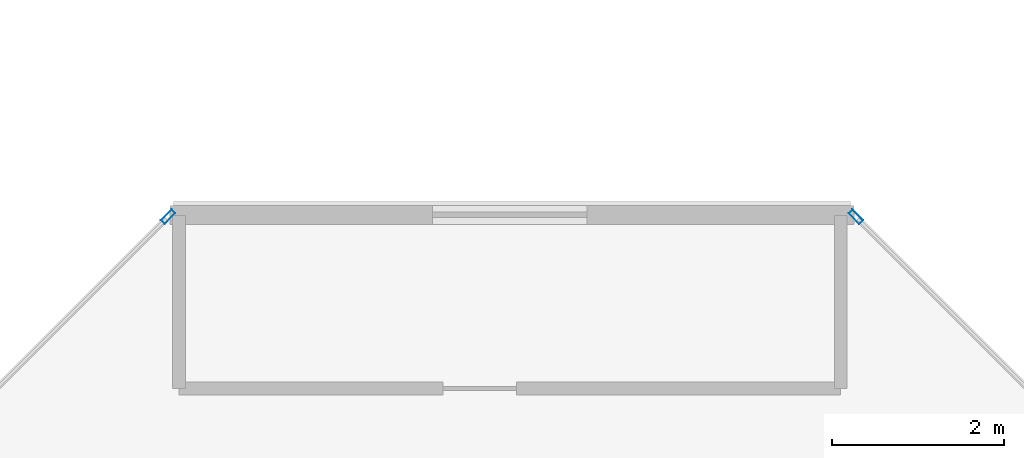
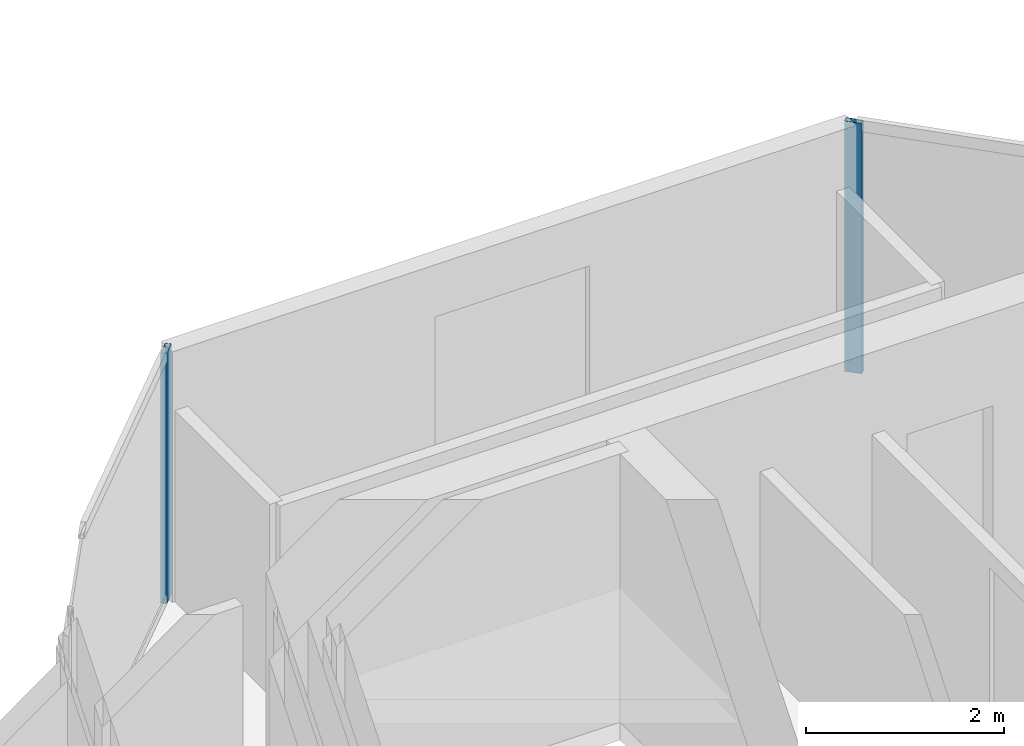
# One storey, part 12 of 29: 2 members, 2 elements without a shape of their own.
"""IFC4 building model written with IfcOpenShell, lengths in metres."""

import ifcopenshell
import ifcopenshell.guid

model = None  # the IFC model being written
_history = None  # IfcOwnerHistory: only IFC2X3 demands one
_inside = {}  # id of a spatial element -> (the spatial element, [elements in it])
_under = {}  # id of a project, library or spatial element -> (it, [spatial elements below it])
_declared = {}  # id of a project -> (the project, [libraries it declares])
_typed = {}  # id of a type object -> (the type object, [elements of that type])
_made_of = {}  # id of a material, layer set ... -> (it, [elements and type objects made of it])


def new_model(schema):
    """Start an empty IFC model of exactly this schema.

    Asked for "IFC4X3", IfcOpenShell would pick the latest addendum, in which some entities
    have other attributes; the version numbers below select the first issue.
    IFC2X3 requires an IfcOwnerHistory on every rooted entity: one is made here for all.
    """
    global model, _history
    if schema == "IFC4X3":
        model = ifcopenshell.file(schema_version=(4, 3, 0, 0))
    else:
        model = ifcopenshell.file(schema=schema)
    _inside.clear()
    _under.clear()
    _declared.clear()
    _typed.clear()
    _made_of.clear()
    _history = None
    if model.schema == "IFC2X3":
        org = make("IfcOrganization", Name="unknown")
        user = make(
            "IfcPersonAndOrganization",
            ThePerson=make("IfcPerson", FamilyName="unknown"),
            TheOrganization=org,
        )
        app = make(
            "IfcApplication",
            ApplicationDeveloper=org,
            Version="unknown",
            ApplicationFullName="unknown",
            ApplicationIdentifier="unknown",
        )
        _history = make(
            "IfcOwnerHistory",
            OwningUser=user,
            OwningApplication=app,
            ChangeAction="ADDED",
            CreationDate=0,
        )
    return model


def make(cls, **values):
    """One entity of the class cls with the attributes given. An attribute that is None is left unset."""
    return model.create_entity(
        cls, **{name: value for name, value in values.items() if value is not None}
    )


def rooted(cls, **values):
    """An entity with a GlobalId (a new one), such as an element, a storey or a relation."""
    return make(cls, GlobalId=ifcopenshell.guid.new(), OwnerHistory=_history, **values)


def si_unit(unit_type, name, prefix=None):
    """IfcSIUnit, for example si_unit("LENGTHUNIT", "METRE", prefix="MILLI")."""
    return make("IfcSIUnit", UnitType=unit_type, Prefix=prefix, Name=name)


def assignment(units):
    """IfcUnitAssignment: the units of a project."""
    return None if units is None else make("IfcUnitAssignment", Units=units)


def point(xyz):
    """IfcCartesianPoint."""
    return None if xyz is None else make("IfcCartesianPoint", Coordinates=xyz)


def direction(xyz):
    """IfcDirection."""
    return None if xyz is None else make("IfcDirection", DirectionRatios=xyz)


def frame(location, z_axis=None, x_axis=None):
    """IfcAxis2Placement3D, a coordinate frame: its origin and axes. An axis left out is left unset."""
    return make(
        "IfcAxis2Placement3D",
        Location=point(location),
        Axis=direction(z_axis),
        RefDirection=direction(x_axis),
    )


def frame_2d(location, x_axis=None):
    """IfcAxis2Placement2D, a coordinate frame in the plane: its origin and x axis."""
    return make(
        "IfcAxis2Placement2D", Location=point(location), RefDirection=direction(x_axis)
    )


def origin():
    """The frame at (0, 0, 0) with its axes left unset."""
    return frame((0.0, 0.0, 0.0))


def origin_2d():
    """The frame at (0, 0) in the plane with its x axis left unset."""
    return frame_2d((0.0, 0.0))


def place(relative_to, where):
    """IfcLocalPlacement: puts the frame where relative to a parent placement (None: the world)."""
    return make(
        "IfcLocalPlacement", PlacementRelTo=relative_to, RelativePlacement=where
    )


def context(
    kind, dimensions, precision=None, world=None, true_north=None, identifier=None
):
    """IfcGeometricRepresentationContext, for example the 3D "Model" context."""
    return make(
        "IfcGeometricRepresentationContext",
        ContextIdentifier=identifier,
        ContextType=kind,
        CoordinateSpaceDimension=dimensions,
        Precision=precision,
        WorldCoordinateSystem=world,
        TrueNorth=true_north,
    )


def subcontext(parent, identifier, kind, view, scale=None):
    """IfcGeometricRepresentationSubContext, for example "Body" below "Model"."""
    return make(
        "IfcGeometricRepresentationSubContext",
        ContextIdentifier=identifier,
        ContextType=kind,
        ParentContext=parent,
        TargetScale=scale,
        TargetView=view,
    )


def project(units=None, contexts=None):
    """IfcProject with its units and contexts."""
    return rooted(
        "IfcProject",
        Name="project",
        RepresentationContexts=contexts,
        UnitsInContext=assignment(units),
    )


def spatial(cls, under=None, at=None, **own):
    """A site, building, storey or space (cls), placed at a placement, below another one or the project."""
    s = rooted(cls, ObjectPlacement=at, **own)
    if under is not None:
        _under.setdefault(under.id(), (under, []))[1].append(s)
    return s


def profile(cls, at=None, kind="AREA", **sizes):
    """A parametric profile (cls). Its sizes go by their IFC names, for example OverallWidth=200.0."""
    return make(cls, ProfileType=kind, Position=at, **sizes)


def hollow_rectangle(**sizes):
    """IfcRectangleHollowProfileDef."""
    return profile("IfcRectangleHollowProfileDef", **sizes)


def extrude(swept, where, along, depth):
    """IfcExtrudedAreaSolid: the profile swept, set in the frame where, extruded along a direction by depth."""
    return make(
        "IfcExtrudedAreaSolid",
        SweptArea=swept,
        Position=where,
        ExtrudedDirection=direction(along),
        Depth=depth,
    )


def shape(context_of_items, identifier, shape_type, items):
    """IfcShapeRepresentation: the items that make up one representation, for example the "Body"."""
    return make(
        "IfcShapeRepresentation",
        ContextOfItems=context_of_items,
        RepresentationIdentifier=identifier,
        RepresentationType=shape_type,
        Items=items,
    )


def material(Name=None, Category=None):
    """IfcMaterial."""
    return make("IfcMaterial", Name=Name, Category=Category)


def layer(
    of_material, thickness, ventilated=None, Name=None, Category=None, Priority=None
):
    """IfcMaterialLayer: one layer of a wall or slab, of a material (None: an air gap)."""
    return make(
        "IfcMaterialLayer",
        Material=of_material,
        LayerThickness=thickness,
        IsVentilated=ventilated,
        Name=Name,
        Category=Category,
        Priority=Priority,
    )


def layer_set(layers, Name=None):
    """IfcMaterialLayerSet."""
    return make("IfcMaterialLayerSet", MaterialLayers=layers, LayerSetName=Name)


def material_profile(
    of_material, cross_section, Name=None, Category=None, Priority=None
):
    """IfcMaterialProfile: a cross section and its material."""
    return make(
        "IfcMaterialProfile",
        Name=Name,
        Material=of_material,
        Profile=cross_section,
        Priority=Priority,
        Category=Category,
    )


def profile_set(profiles, Name=None, composite=None):
    """IfcMaterialProfileSet."""
    return make(
        "IfcMaterialProfileSet",
        Name=Name,
        MaterialProfiles=profiles,
        CompositeProfile=composite,
    )


def made_of(thing, what):
    """Note that an element or type object is made of a material, layer set ...; save() writes the relation."""
    if what is not None:
        _made_of.setdefault(what.id(), (what, []))[1].append(thing)
    return thing


def type_object(cls, material=None, **own):
    """A type object (cls), such as IfcWallType, which elements share."""
    return made_of(rooted(cls, **own), material)


def element(
    cls,
    number,
    at=None,
    inside=None,
    cuts=None,
    type_object=None,
    material=None,
    context=None,
    identifier="Body",
    shape_type=None,
    held_by="IfcProductDefinitionShape",
    body=None,
    shapes=None,
    **own,
):
    """One element of the class cls, such as IfcWall. Its Tag is "e" and its number.

    at: its placement. inside: the storey or other place that contains it. cuts: it is an
    opening in that element (IfcRelVoidsElement). A single representation is given by context,
    identifier, shape_type and body (its items); several are given by shapes. held_by: the class
    of the entity that holds the representations. save() writes the other relations.
    """
    e = rooted(cls, Tag="e%d" % number, ObjectPlacement=at, **own)
    if body is not None:
        shapes = [shape(context, identifier, shape_type, body)]
    if shapes is not None:
        e.Representation = make(held_by, Representations=shapes)
    if inside is not None:
        _inside.setdefault(inside.id(), (inside, []))[1].append(e)
    if cuts is not None:
        rooted(
            "IfcRelVoidsElement", RelatingBuildingElement=cuts, RelatedOpeningElement=e
        )
    if type_object is not None:
        _typed.setdefault(type_object.id(), (type_object, []))[1].append(e)
    return made_of(e, material)


def aggregate(whole, parts):
    """IfcRelAggregates: a whole, such as a stair, and the parts it consists of."""
    return rooted("IfcRelAggregates", RelatingObject=whole, RelatedObjects=parts)


def save(model, path):
    """Write the relations noted so far, then the file.

    IfcRelAggregates (storeys below a building ...), IfcRelContainedInSpatialStructure (elements
    in a storey), IfcRelDefinesByType, IfcRelAssociatesMaterial and IfcRelDeclares: one each for
    every whole, place, type object, material and project.
    """
    for whole, parts in _under.values():
        aggregate(whole, parts)
    for where, things in _inside.values():
        rooted(
            "IfcRelContainedInSpatialStructure",
            RelatedElements=things,
            RelatingStructure=where,
        )
    for kind, things in _typed.values():
        rooted("IfcRelDefinesByType", RelatedObjects=things, RelatingType=kind)
    for what, things in _made_of.values():
        rooted("IfcRelAssociatesMaterial", RelatedObjects=things, RelatingMaterial=what)
    for by, libraries in _declared.values():
        rooted("IfcRelDeclares", RelatingContext=by, RelatedDefinitions=libraries)
    model.write(path)


model = new_model("IFC4")

# Units and contexts
model_context = context("Model", 3, precision=1e-05, world=origin(), true_north=direction((0.0, 1.0)))
body_context = subcontext(model_context, "Body", "Model", "MODEL_VIEW")
ifc_project = project(units=[si_unit("LENGTHUNIT", "METRE"), si_unit("AREAUNIT", "SQUARE_METRE"), si_unit("VOLUMEUNIT", "CUBIC_METRE"), si_unit("PLANEANGLEUNIT", "RADIAN"), si_unit("MASSUNIT", "GRAM", prefix="KILO")], contexts=[model_context])

# Site, building, storey
site_placement = place(None, origin())
site = spatial("IfcSite", under=ifc_project, at=site_placement, CompositionType="ELEMENT")
building_placement = place(site_placement, origin())
building = spatial("IfcBuilding", under=site, at=building_placement, Name="Tanjung Sevakor Pilgrim Tower", CompositionType="ELEMENT")
storey_placement = place(building_placement, frame((0.0, 0.0, 232.64990234375)))
storey = spatial("IfcBuildingStorey", under=building, at=storey_placement, Name="L65", CompositionType="ELEMENT", Elevation=232.64990234375)

# Curtain wall, member
ifc_material_1 = material(Name="Aluminium 6063-T6 and Low-E Glass", Category="aluminium")
ifc_layer = layer(ifc_material_1, 0.179931640625)
ifc_layer_set = layer_set([ifc_layer], Name="CW-SYS-CHAM")
curtain_wall_type = type_object("IfcCurtainWallType", Name="CW-SYS-CHAM", PredefinedType="NOTDEFINED", material=ifc_layer_set)
curtain_wall_1_placement = place(storey_placement, origin())
curtain_wall_1 = element("IfcCurtainWall", 1, at=curtain_wall_1_placement, inside=storey, type_object=curtain_wall_type, Name="L65 Curtain Wall CW-CHM-L65-WEST-3", PredefinedType="NOTDEFINED")
ifc_material_2 = material(Name="Aluminium 6063-T6", Category="aluminium")
ifc_material_profile = material_profile(ifc_material_2, hollow_rectangle(XDim=0.06494140625, YDim=0.179931640625, WallThickness=0.00390625, at=origin_2d()))
ifc_profile_set = profile_set([ifc_material_profile], Name="Aluminium 6063-T6")
member_type = type_object("IfcMemberType", Name="TYPE-CWM-1", PredefinedType="MULLION", material=ifc_profile_set)
member_1_placement = place(storey_placement, frame((32.827392578125, 46.26708984375, 0.0), z_axis=(0.0, 0.0, 1.0), x_axis=(-0.707106781187, -0.707106781187, 0.0)))
member_1 = element("IfcMember", 2, at=member_1_placement, type_object=member_type, Name="CW-CHM mullion 2", PredefinedType="MULLION", context=body_context, shape_type="SweptSolid", body=[
    extrude(hollow_rectangle(XDim=0.06494140625, YDim=0.179931640625, WallThickness=0.00390625, at=origin_2d()), origin(), (0.0, 0.0, 1.0), 3.080078125),
])
aggregate(curtain_wall_1, [member_1])

curtain_wall_2_placement = place(storey_placement, origin())
curtain_wall_2 = element("IfcCurtainWall", 3, at=curtain_wall_2_placement, inside=storey, type_object=curtain_wall_type, Name="L65 Curtain Wall CW-CHM-L65-WEST-5", PredefinedType="NOTDEFINED")
member_2_placement = place(storey_placement, frame((24.822509765625, 46.26708984375, 0.0), z_axis=(0.0, 0.0, 1.0), x_axis=(0.707106781187, -0.707106781187, 0.0)))
member_2 = element("IfcMember", 4, at=member_2_placement, type_object=member_type, Name="CW-CHM mullion 1", PredefinedType="MULLION", context=body_context, shape_type="SweptSolid", body=[
    extrude(hollow_rectangle(XDim=0.06494140625, YDim=0.179931640625, WallThickness=0.00390625, at=origin_2d()), origin(), (0.0, 0.0, 1.0), 3.080078125),
])
aggregate(curtain_wall_2, [member_2])

save(model, "model.ifc")
